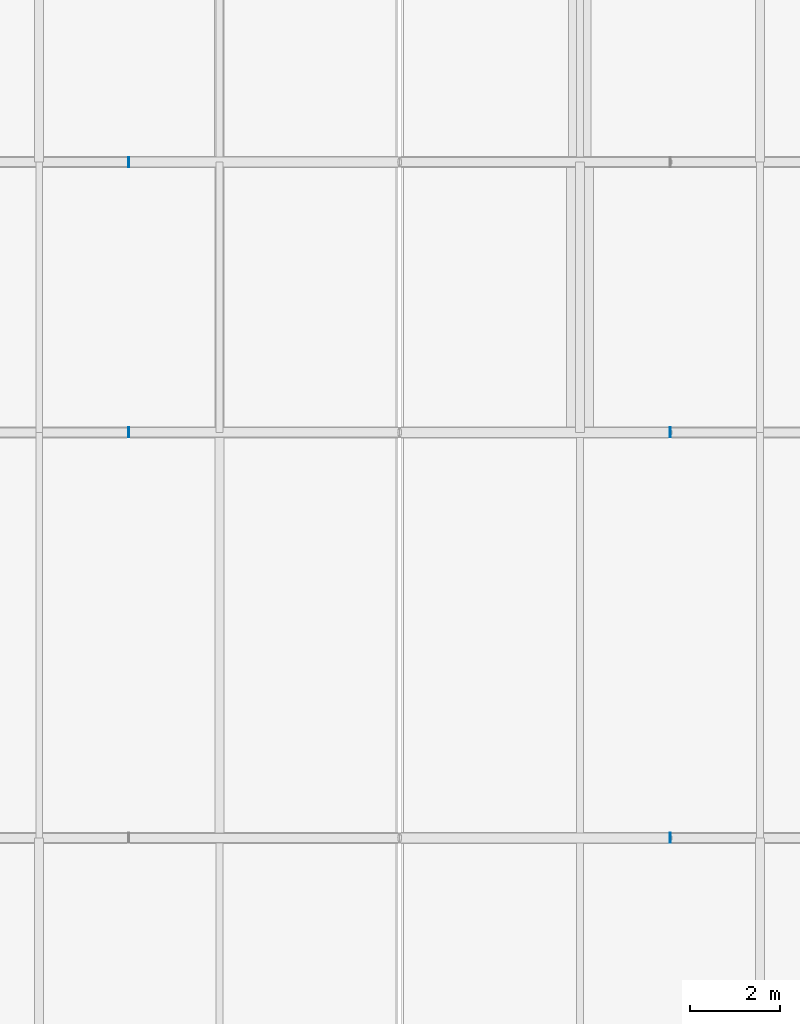
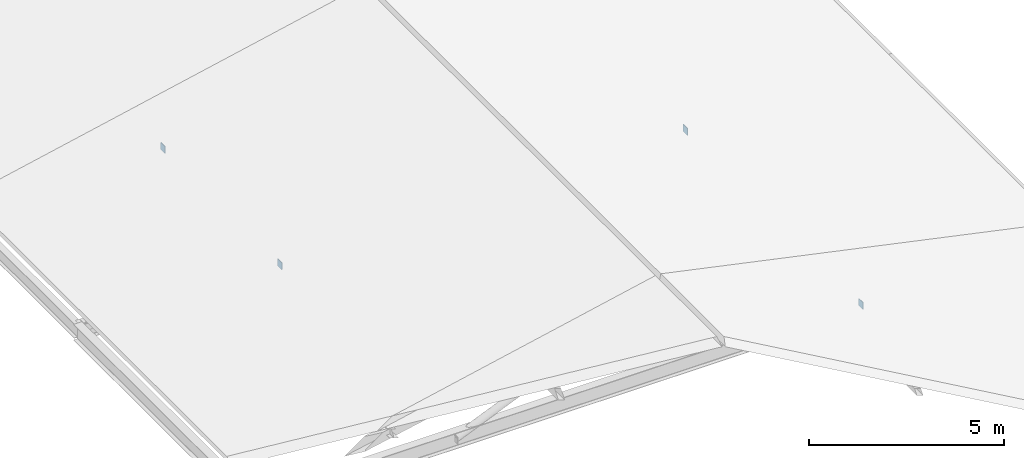
# One storey, part 25 of 38: 4 plates.
"""IFC4 building model written with IfcOpenShell, lengths in metres."""

from ifc_helpers import new_model, si_unit, derived_unit, direction, frame, origin, origin_2d, place, context, subcontext, project, spatial, rectangle, extrude, material, layer, layer_set, type_object, element, save


model = new_model("IFC4")

# Units and contexts
model_context = context("Model", 3, precision=1e-05, world=origin(), true_north=direction((0.0, 1.0)))
body_context = subcontext(model_context, "Body", "Model", "MODEL_VIEW")
ifc_project = project(units=[si_unit("LENGTHUNIT", "METRE"), si_unit("AREAUNIT", "SQUARE_METRE"), si_unit("VOLUMEUNIT", "CUBIC_METRE"), si_unit("PLANEANGLEUNIT", "RADIAN"), si_unit("MASSUNIT", "GRAM", prefix="KILO"), derived_unit("THERMALTRANSMITTANCEUNIT", [(si_unit("POWERUNIT", "WATT"), 1), (si_unit("LENGTHUNIT", "METRE"), -2), (si_unit("THERMODYNAMICTEMPERATUREUNIT", "KELVIN"), -1)])], contexts=[model_context])

# Site, building, storey
site_placement = place(None, origin())
site = spatial("IfcSite", under=ifc_project, at=site_placement, CompositionType="ELEMENT")
building_placement = place(site_placement, origin())
building = spatial("IfcBuilding", under=site, at=building_placement, Name="Nallur Shell Playhouse", CompositionType="ELEMENT")
storey_placement = place(building_placement, frame((0.0, 0.0, 24.300048828125)))
storey = spatial("IfcBuildingStorey", under=building, at=storey_placement, Name="L06", CompositionType="ELEMENT", Elevation=24.300048828125)

# Plates
ifc_material = material(Name="Steel E350", Category="steel")
ifc_layer = layer(ifc_material, 0.02001953125)
ifc_layer_set = layer_set([ifc_layer], Name="Steel E350")
plate_type = type_object("IfcPlateType", Name="PT-ENDCAP-20", PredefinedType="SHEET", material=ifc_layer_set)
for number, where, z_axis, x_axis, name in (
    (1, (34.010009765625, 41.0, -0.61083984375), (0.0, 0.0, 1.0), (1.0, 0.0, 0.0), "Hollow end cap EC-TRBB-41-2"),
    (2, (21.990966796875, 50.0, -0.61474609375), (0.0, 0.0, 1.0), (1.0, 0.0, 0.0), "Hollow end cap EC-TRBB-50-1"),
    (3, (34.010009765625, 50.0, -0.61083984375), (0.0, 0.0, 1.0), (1.0, 0.0, 0.0), "Hollow end cap EC-TRBB-50-2"),
    (4, (21.990966796875, 56.0, -0.61474609375), (0.0, 0.0, 1.0), (1.0, 0.0, 0.0), "Hollow end cap EC-TRBB-56-1"),
):
    element("IfcPlate", number, at=place(storey_placement, frame(where, z_axis=z_axis, x_axis=x_axis)), inside=storey, type_object=plate_type, Name=name, PredefinedType="SHEET", context=body_context, shape_type="SweptSolid", body=[
        extrude(rectangle(XDim=0.02001953125, YDim=0.219970703125, at=origin_2d()), origin(), (0.0, 0.0, 1.0), 0.219970703125),
    ])

save(model, "model.ifc")
